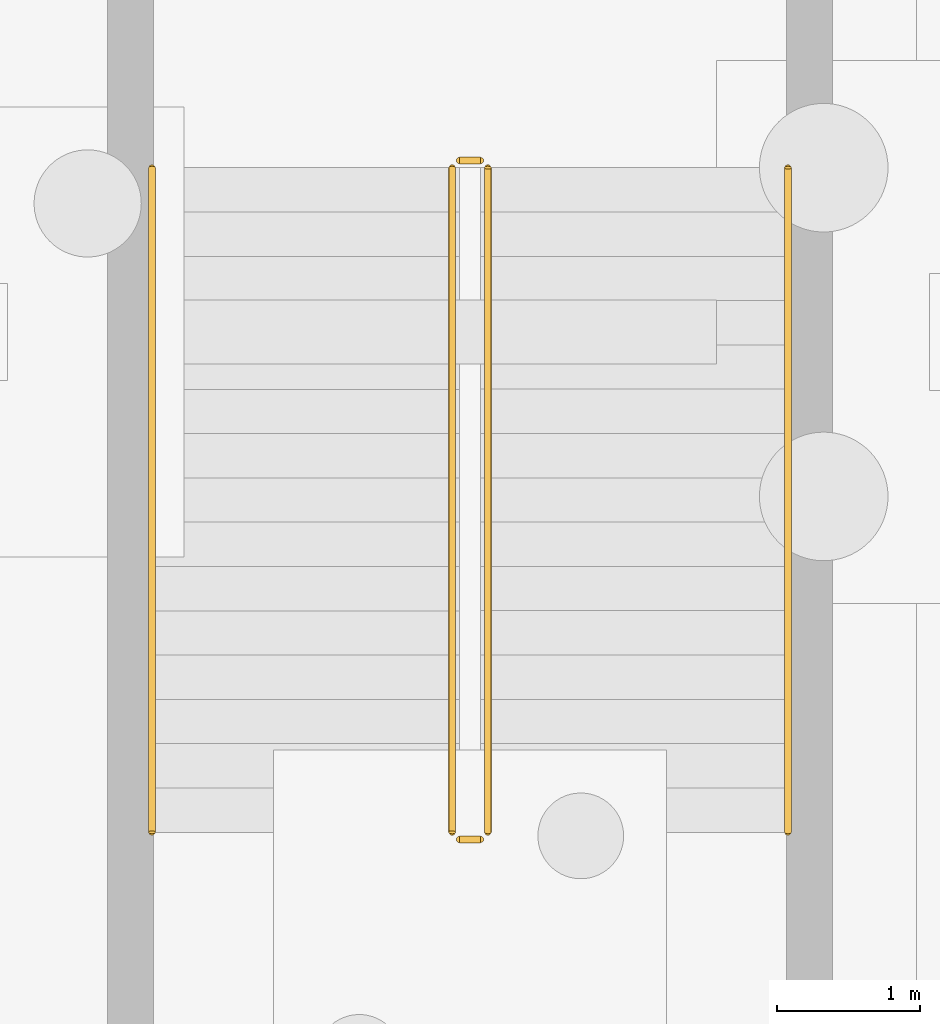
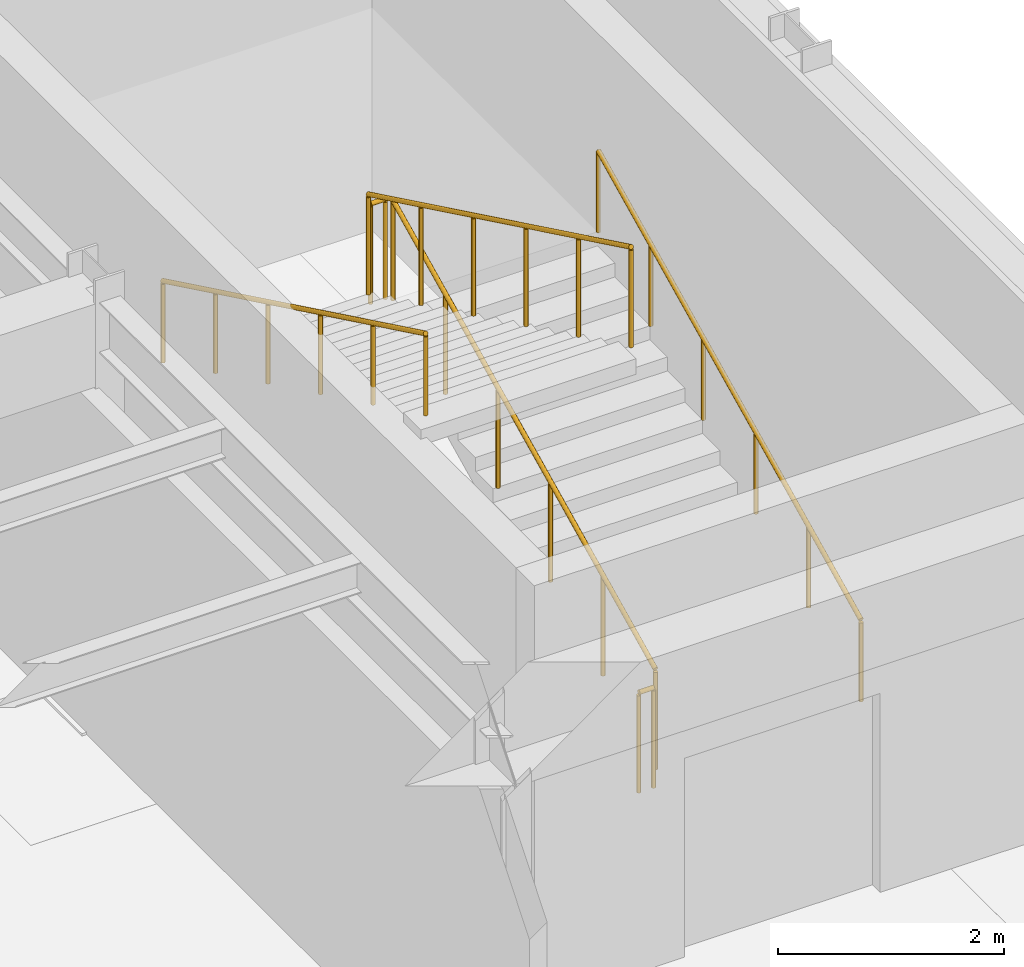
# One storey, part 59 of 64: 6 railings.
"""IFC4 building model written with IfcOpenShell, lengths in metres."""

from ifc_helpers import new_model, si_unit, direction, frame, origin, origin_2d, place, context, subcontext, project, spatial, circle, extrude, material, type_object, element, save


model = new_model("IFC4")

# Units and contexts
model_context = context("Model", 3, precision=1e-05, world=origin(), true_north=direction((0.0, 1.0)))
body_context = subcontext(model_context, "Body", "Model", "MODEL_VIEW")
ifc_project = project(units=[si_unit("LENGTHUNIT", "METRE"), si_unit("AREAUNIT", "SQUARE_METRE"), si_unit("VOLUMEUNIT", "CUBIC_METRE"), si_unit("PLANEANGLEUNIT", "RADIAN"), si_unit("MASSUNIT", "GRAM", prefix="KILO")], contexts=[model_context])

# Site, building, storey
site_placement = place(None, origin())
site = spatial("IfcSite", under=ifc_project, at=site_placement, CompositionType="ELEMENT")
building_placement = place(site_placement, origin())
building = spatial("IfcBuilding", under=site, at=building_placement, Name="Solvadek Multi-Sports Hall", CompositionType="ELEMENT")
storey_placement = place(building_placement, frame((0.0, 0.0, -4.800048828125)))
storey = spatial("IfcBuildingStorey", under=building, at=storey_placement, Name="B1", CompositionType="ELEMENT", Elevation=-4.800048828125)

# Railings
ifc_material = material(Name="Steel E250 (250 MPa)", Category="steel")
railing_type_1 = type_object("IfcRailingType", Name="INT-RAL-GRD115", PredefinedType="BALUSTRADE", material=ifc_material)
railing_1_placement = place(storey_placement, frame((133.300048828125, 24.10009765625, 0.150146484375)))
element("IfcRailing", 1, at=railing_1_placement, inside=storey, type_object=railing_type_1, Name="B1 ST-05 stair guard 1", PredefinedType="BALUSTRADE", context=body_context, shape_type="SweptSolid", body=[
    extrude(circle(Radius=0.02392578125, at=origin_2d()), frame((0.0, 0.0, 1.076171875), z_axis=(0.0, 0.900155664878, 0.435568340204), x_axis=(-1.0, 0.0, 0.0)), (0.0, 0.0, 1.0), 5.165771484375),
    extrude(circle(Radius=0.02099609375, at=origin_2d()), origin(), (0.0, 0.0, 1.0), 1.052001953125),
    extrude(circle(Radius=0.02099609375, at=origin_2d()), frame((0.0, 0.929931640625, 0.449951171875)), (0.0, 0.0, 1.0), 1.052001953125),
    extrude(circle(Radius=0.02099609375, at=origin_2d()), frame((0.0, 1.85986328125, 0.89990234375)), (0.0, 0.0, 1.0), 1.052001953125),
    extrude(circle(Radius=0.02099609375, at=origin_2d()), frame((0.0, 2.7900390625, 1.35009765625)), (0.0, 0.0, 1.0), 1.052001953125),
    extrude(circle(Radius=0.02099609375, at=origin_2d()), frame((0.0, 3.719970703125, 1.800048828125)), (0.0, 0.0, 1.0), 1.052001953125),
    extrude(circle(Radius=0.02099609375, at=origin_2d()), frame((0.0, 4.64990234375, 2.25)), (0.0, 0.0, 1.0), 1.052001953125),
])
railing_2_placement = place(storey_placement, frame((133.25, 28.800048828125, 2.400146484375)))
element("IfcRailing", 2, at=railing_2_placement, inside=storey, type_object=railing_type_1, Name="B1 ST-05 stair guard 2", PredefinedType="BALUSTRADE", context=body_context, shape_type="SweptSolid", body=[
    extrude(circle(Radius=0.02392578125, at=origin_2d()), frame((0.0, 0.0, 1.076171875), z_axis=(-1.0, 0.0, 0.0), x_axis=(0.0, -1.0, 0.0)), (0.0, 0.0, 1.0), 0.14990234375),
    extrude(circle(Radius=0.02099609375, at=origin_2d()), origin(), (0.0, 0.0, 1.0), 1.052001953125),
    extrude(circle(Radius=0.02099609375, at=origin_2d()), frame((-0.14990234375, 0.0, 0.0)), (0.0, 0.0, 1.0), 1.052001953125),
])
railing_3_placement = place(storey_placement, frame((133.050048828125, 28.75, 2.550048828125)))
element("IfcRailing", 3, at=railing_3_placement, inside=storey, type_object=railing_type_1, Name="B1 ST-05 stair guard 3", PredefinedType="BALUSTRADE", context=body_context, shape_type="SweptSolid", body=[
    extrude(circle(Radius=0.02392578125, at=origin_2d()), frame((0.0, 0.0, 1.076171875), z_axis=(0.0, -0.900155664878, 0.435568340204), x_axis=(1.0, 0.0, 0.0)), (0.0, 0.0, 1.0), 5.165771484375),
    extrude(circle(Radius=0.02099609375, at=origin_2d()), origin(), (0.0, 0.0, 1.0), 1.052001953125),
    extrude(circle(Radius=0.02099609375, at=origin_2d()), frame((0.0, -0.929931640625, 0.449951171875)), (0.0, 0.0, 1.0), 1.052001953125),
    extrude(circle(Radius=0.02099609375, at=origin_2d()), frame((0.0, -1.85986328125, 0.89990234375)), (0.0, 0.0, 1.0), 1.052001953125),
    extrude(circle(Radius=0.02099609375, at=origin_2d()), frame((0.0, -2.7900390625, 1.35009765625)), (0.0, 0.0, 1.0), 1.052001953125),
    extrude(circle(Radius=0.02099609375, at=origin_2d()), frame((0.0, -3.719970703125, 1.800048828125)), (0.0, 0.0, 1.0), 1.052001953125),
    extrude(circle(Radius=0.02099609375, at=origin_2d()), frame((0.0, -4.64990234375, 2.25)), (0.0, 0.0, 1.0), 1.052001953125),
])
railing_4_placement = place(storey_placement, frame((133.25, 24.050048828125, 0.0)))
element("IfcRailing", 4, at=railing_4_placement, inside=storey, type_object=railing_type_1, Name="B1 ST-05 stair guard 4", PredefinedType="BALUSTRADE", context=body_context, shape_type="SweptSolid", body=[
    extrude(circle(Radius=0.02392578125, at=origin_2d()), frame((0.0, 0.0, 1.076171875), z_axis=(-1.0, 0.0, 0.0), x_axis=(0.0, -1.0, 0.0)), (0.0, 0.0, 1.0), 0.14990234375),
    extrude(circle(Radius=0.02099609375, at=origin_2d()), origin(), (0.0, 0.0, 1.0), 1.052001953125),
    extrude(circle(Radius=0.02099609375, at=origin_2d()), frame((-0.14990234375, 0.0, 0.0)), (0.0, 0.0, 1.0), 1.052001953125),
])
railing_type_2 = type_object("IfcRailingType", Name="INT-RAL-HND090", PredefinedType="HANDRAIL", material=ifc_material)
railing_5_placement = place(storey_placement, frame((135.39990234375, 24.10009765625, 0.150146484375)))
element("IfcRailing", 5, at=railing_5_placement, inside=storey, type_object=railing_type_2, Name="B1 ST-05 stair handrail 1", PredefinedType="HANDRAIL", context=body_context, shape_type="SweptSolid", body=[
    extrude(circle(Radius=0.02392578125, at=origin_2d()), frame((0.0, 0.0, 0.8759765625), z_axis=(0.0, 0.900155664878, 0.435568340204), x_axis=(-1.0, 0.0, 0.0)), (0.0, 0.0, 1.0), 5.165771484375),
    extrude(circle(Radius=0.02099609375, at=origin_2d()), origin(), (0.0, 0.0, 1.0), 0.851806640625),
    extrude(circle(Radius=0.02099609375, at=origin_2d()), frame((0.0, 0.929931640625, 0.449951171875)), (0.0, 0.0, 1.0), 0.851806640625),
    extrude(circle(Radius=0.02099609375, at=origin_2d()), frame((0.0, 1.85986328125, 0.89990234375)), (0.0, 0.0, 1.0), 0.851806640625),
    extrude(circle(Radius=0.02099609375, at=origin_2d()), frame((0.0, 2.7900390625, 1.35009765625)), (0.0, 0.0, 1.0), 0.851806640625),
    extrude(circle(Radius=0.02099609375, at=origin_2d()), frame((0.0, 3.719970703125, 1.800048828125)), (0.0, 0.0, 1.0), 0.851806640625),
    extrude(circle(Radius=0.02099609375, at=origin_2d()), frame((0.0, 4.64990234375, 2.25)), (0.0, 0.0, 1.0), 0.851806640625),
])
railing_6_placement = place(storey_placement, frame((130.949951171875, 28.75, 2.550048828125)))
element("IfcRailing", 6, at=railing_6_placement, inside=storey, type_object=railing_type_2, Name="B1 ST-05 stair handrail 2", PredefinedType="HANDRAIL", context=body_context, shape_type="SweptSolid", body=[
    extrude(circle(Radius=0.02392578125, at=origin_2d()), frame((0.0, 0.0, 0.8759765625), z_axis=(0.0, -0.900155664878, 0.435568340204), x_axis=(1.0, 0.0, 0.0)), (0.0, 0.0, 1.0), 5.165771484375),
    extrude(circle(Radius=0.02099609375, at=origin_2d()), origin(), (0.0, 0.0, 1.0), 0.851806640625),
    extrude(circle(Radius=0.02099609375, at=origin_2d()), frame((0.0, -0.929931640625, 0.449951171875)), (0.0, 0.0, 1.0), 0.851806640625),
    extrude(circle(Radius=0.02099609375, at=origin_2d()), frame((0.0, -1.85986328125, 0.89990234375)), (0.0, 0.0, 1.0), 0.851806640625),
    extrude(circle(Radius=0.02099609375, at=origin_2d()), frame((0.0, -2.7900390625, 1.35009765625)), (0.0, 0.0, 1.0), 0.851806640625),
    extrude(circle(Radius=0.02099609375, at=origin_2d()), frame((0.0, -3.719970703125, 1.800048828125)), (0.0, 0.0, 1.0), 0.851806640625),
    extrude(circle(Radius=0.02099609375, at=origin_2d()), frame((0.0, -4.64990234375, 2.25)), (0.0, 0.0, 1.0), 0.851806640625),
])

save(model, "model.ifc")
